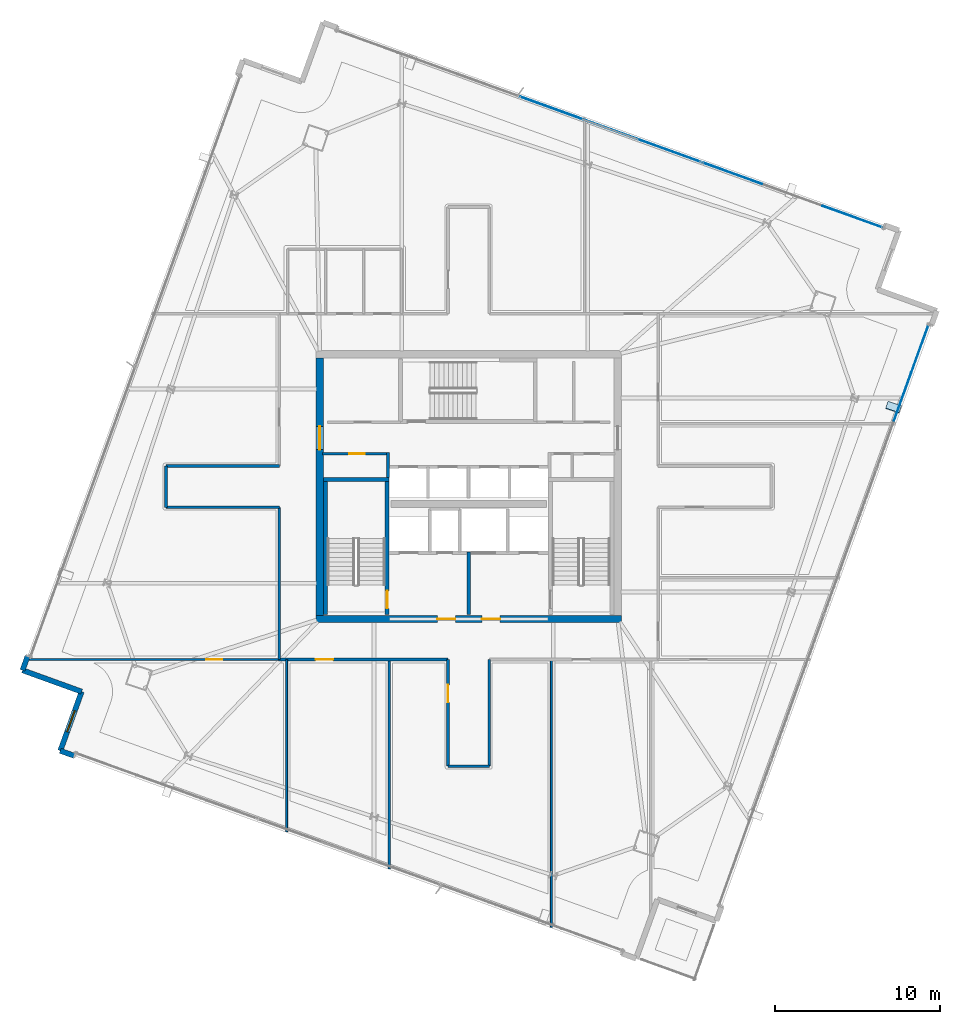
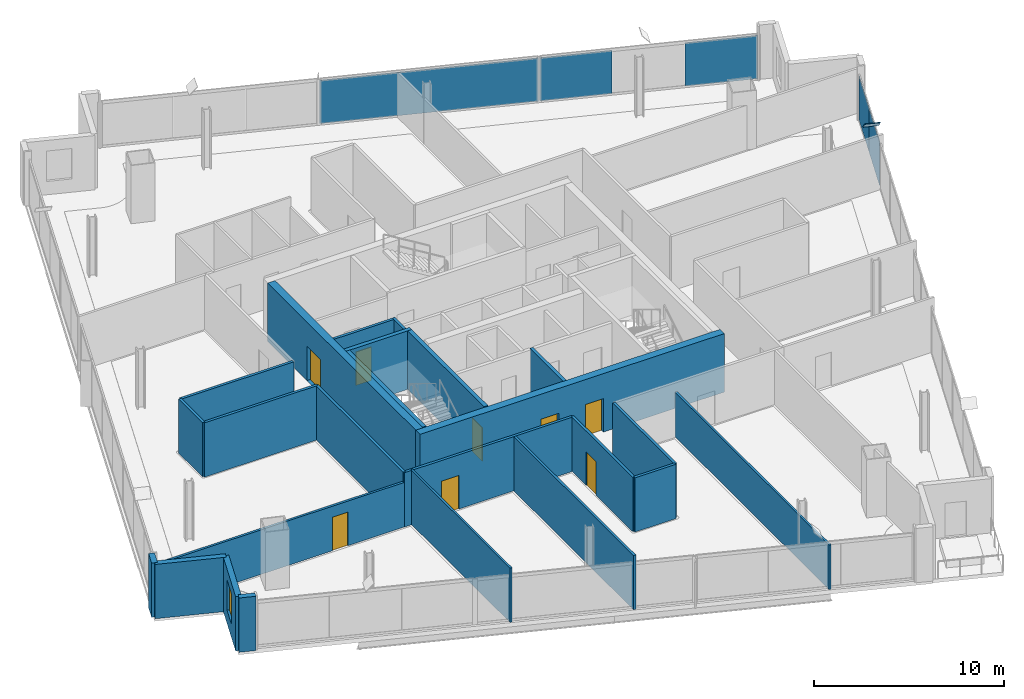
# One storey, part 19 of 27: 24 walls, 8 doors, 6 plates, 1 window, 9 openings, 2 elements without a shape of their own.
"""IFC4 building model written with IfcOpenShell, lengths in metres."""

import ifcopenshell
import ifcopenshell.guid

model = None  # the IFC model being written
_history = None  # IfcOwnerHistory: only IFC2X3 demands one
_inside = {}  # id of a spatial element -> (the spatial element, [elements in it])
_under = {}  # id of a project, library or spatial element -> (it, [spatial elements below it])
_declared = {}  # id of a project -> (the project, [libraries it declares])
_typed = {}  # id of a type object -> (the type object, [elements of that type])
_made_of = {}  # id of a material, layer set ... -> (it, [elements and type objects made of it])


def new_model(schema):
    """Start an empty IFC model of exactly this schema.

    Asked for "IFC4X3", IfcOpenShell would pick the latest addendum, in which some entities
    have other attributes; the version numbers below select the first issue.
    IFC2X3 requires an IfcOwnerHistory on every rooted entity: one is made here for all.
    """
    global model, _history
    if schema == "IFC4X3":
        model = ifcopenshell.file(schema_version=(4, 3, 0, 0))
    else:
        model = ifcopenshell.file(schema=schema)
    _inside.clear()
    _under.clear()
    _declared.clear()
    _typed.clear()
    _made_of.clear()
    _history = None
    if model.schema == "IFC2X3":
        org = make("IfcOrganization", Name="unknown")
        user = make(
            "IfcPersonAndOrganization",
            ThePerson=make("IfcPerson", FamilyName="unknown"),
            TheOrganization=org,
        )
        app = make(
            "IfcApplication",
            ApplicationDeveloper=org,
            Version="unknown",
            ApplicationFullName="unknown",
            ApplicationIdentifier="unknown",
        )
        _history = make(
            "IfcOwnerHistory",
            OwningUser=user,
            OwningApplication=app,
            ChangeAction="ADDED",
            CreationDate=0,
        )
    return model


def make(cls, **values):
    """One entity of the class cls with the attributes given. An attribute that is None is left unset."""
    return model.create_entity(
        cls, **{name: value for name, value in values.items() if value is not None}
    )


def rooted(cls, **values):
    """An entity with a GlobalId (a new one), such as an element, a storey or a relation."""
    return make(cls, GlobalId=ifcopenshell.guid.new(), OwnerHistory=_history, **values)


def si_unit(unit_type, name, prefix=None):
    """IfcSIUnit, for example si_unit("LENGTHUNIT", "METRE", prefix="MILLI")."""
    return make("IfcSIUnit", UnitType=unit_type, Prefix=prefix, Name=name)


def assignment(units):
    """IfcUnitAssignment: the units of a project."""
    return None if units is None else make("IfcUnitAssignment", Units=units)


def point(xyz):
    """IfcCartesianPoint."""
    return None if xyz is None else make("IfcCartesianPoint", Coordinates=xyz)


def direction(xyz):
    """IfcDirection."""
    return None if xyz is None else make("IfcDirection", DirectionRatios=xyz)


def frame(location, z_axis=None, x_axis=None):
    """IfcAxis2Placement3D, a coordinate frame: its origin and axes. An axis left out is left unset."""
    return make(
        "IfcAxis2Placement3D",
        Location=point(location),
        Axis=direction(z_axis),
        RefDirection=direction(x_axis),
    )


def frame_2d(location, x_axis=None):
    """IfcAxis2Placement2D, a coordinate frame in the plane: its origin and x axis."""
    return make(
        "IfcAxis2Placement2D", Location=point(location), RefDirection=direction(x_axis)
    )


def origin():
    """The frame at (0, 0, 0) with its axes left unset."""
    return frame((0.0, 0.0, 0.0))


def origin_2d():
    """The frame at (0, 0) in the plane with its x axis left unset."""
    return frame_2d((0.0, 0.0))


def place(relative_to, where):
    """IfcLocalPlacement: puts the frame where relative to a parent placement (None: the world)."""
    return make(
        "IfcLocalPlacement", PlacementRelTo=relative_to, RelativePlacement=where
    )


def context(
    kind, dimensions, precision=None, world=None, true_north=None, identifier=None
):
    """IfcGeometricRepresentationContext, for example the 3D "Model" context."""
    return make(
        "IfcGeometricRepresentationContext",
        ContextIdentifier=identifier,
        ContextType=kind,
        CoordinateSpaceDimension=dimensions,
        Precision=precision,
        WorldCoordinateSystem=world,
        TrueNorth=true_north,
    )


def subcontext(parent, identifier, kind, view, scale=None):
    """IfcGeometricRepresentationSubContext, for example "Body" below "Model"."""
    return make(
        "IfcGeometricRepresentationSubContext",
        ContextIdentifier=identifier,
        ContextType=kind,
        ParentContext=parent,
        TargetScale=scale,
        TargetView=view,
    )


def project(units=None, contexts=None):
    """IfcProject with its units and contexts."""
    return rooted(
        "IfcProject",
        Name="project",
        RepresentationContexts=contexts,
        UnitsInContext=assignment(units),
    )


def spatial(cls, under=None, at=None, **own):
    """A site, building, storey or space (cls), placed at a placement, below another one or the project."""
    s = rooted(cls, ObjectPlacement=at, **own)
    if under is not None:
        _under.setdefault(under.id(), (under, []))[1].append(s)
    return s


def profile(cls, at=None, kind="AREA", **sizes):
    """A parametric profile (cls). Its sizes go by their IFC names, for example OverallWidth=200.0."""
    return make(cls, ProfileType=kind, Position=at, **sizes)


def rectangle(**sizes):
    """IfcRectangleProfileDef."""
    return profile("IfcRectangleProfileDef", **sizes)


def extrude(swept, where, along, depth):
    """IfcExtrudedAreaSolid: the profile swept, set in the frame where, extruded along a direction by depth."""
    return make(
        "IfcExtrudedAreaSolid",
        SweptArea=swept,
        Position=where,
        ExtrudedDirection=direction(along),
        Depth=depth,
    )


def shape(context_of_items, identifier, shape_type, items):
    """IfcShapeRepresentation: the items that make up one representation, for example the "Body"."""
    return make(
        "IfcShapeRepresentation",
        ContextOfItems=context_of_items,
        RepresentationIdentifier=identifier,
        RepresentationType=shape_type,
        Items=items,
    )


def source(mapping_origin, context_of_items, identifier, shape_type, items):
    """IfcRepresentationMap: a shape defined once, which mapped items show again and again."""
    return make(
        "IfcRepresentationMap",
        MappingOrigin=mapping_origin,
        MappedRepresentation=shape(context_of_items, identifier, shape_type, items),
    )


def transform(
    local_origin,
    x_axis=None,
    y_axis=None,
    z_axis=None,
    scale=None,
    scale2=None,
    scale3=None,
    uniform=True,
):
    """IfcCartesianTransformationOperator3D, or its non-uniform kind. x_axis, y_axis, z_axis: its Axis1, 2, 3."""
    if uniform:
        return make(
            "IfcCartesianTransformationOperator3D",
            Axis1=direction(x_axis),
            Axis2=direction(y_axis),
            LocalOrigin=point(local_origin),
            Scale=scale,
            Axis3=direction(z_axis),
        )
    return make(
        "IfcCartesianTransformationOperator3DnonUniform",
        Axis1=direction(x_axis),
        Axis2=direction(y_axis),
        LocalOrigin=point(local_origin),
        Scale=scale,
        Axis3=direction(z_axis),
        Scale2=scale2,
        Scale3=scale3,
    )


def mapped(mapping_source, mapping_target):
    """IfcMappedItem: shows the shape of a source again, moved by a transform."""
    return make(
        "IfcMappedItem", MappingSource=mapping_source, MappingTarget=mapping_target
    )


def material(Name=None, Category=None):
    """IfcMaterial."""
    return make("IfcMaterial", Name=Name, Category=Category)


def layer(
    of_material, thickness, ventilated=None, Name=None, Category=None, Priority=None
):
    """IfcMaterialLayer: one layer of a wall or slab, of a material (None: an air gap)."""
    return make(
        "IfcMaterialLayer",
        Material=of_material,
        LayerThickness=thickness,
        IsVentilated=ventilated,
        Name=Name,
        Category=Category,
        Priority=Priority,
    )


def layer_set(layers, Name=None):
    """IfcMaterialLayerSet."""
    return make("IfcMaterialLayerSet", MaterialLayers=layers, LayerSetName=Name)


def made_of(thing, what):
    """Note that an element or type object is made of a material, layer set ...; save() writes the relation."""
    if what is not None:
        _made_of.setdefault(what.id(), (what, []))[1].append(thing)
    return thing


def type_object(cls, material=None, **own):
    """A type object (cls), such as IfcWallType, which elements share."""
    return made_of(rooted(cls, **own), material)


def element(
    cls,
    number,
    at=None,
    inside=None,
    cuts=None,
    type_object=None,
    material=None,
    context=None,
    identifier="Body",
    shape_type=None,
    held_by="IfcProductDefinitionShape",
    body=None,
    shapes=None,
    **own,
):
    """One element of the class cls, such as IfcWall. Its Tag is "e" and its number.

    at: its placement. inside: the storey or other place that contains it. cuts: it is an
    opening in that element (IfcRelVoidsElement). A single representation is given by context,
    identifier, shape_type and body (its items); several are given by shapes. held_by: the class
    of the entity that holds the representations. save() writes the other relations.
    """
    e = rooted(cls, Tag="e%d" % number, ObjectPlacement=at, **own)
    if body is not None:
        shapes = [shape(context, identifier, shape_type, body)]
    if shapes is not None:
        e.Representation = make(held_by, Representations=shapes)
    if inside is not None:
        _inside.setdefault(inside.id(), (inside, []))[1].append(e)
    if cuts is not None:
        rooted(
            "IfcRelVoidsElement", RelatingBuildingElement=cuts, RelatedOpeningElement=e
        )
    if type_object is not None:
        _typed.setdefault(type_object.id(), (type_object, []))[1].append(e)
    return made_of(e, material)


def fill(opening, filler):
    """IfcRelFillsElement: the door or window that sits in an opening."""
    return rooted(
        "IfcRelFillsElement",
        RelatingOpeningElement=opening,
        RelatedBuildingElement=filler,
    )


def aggregate(whole, parts):
    """IfcRelAggregates: a whole, such as a stair, and the parts it consists of."""
    return rooted("IfcRelAggregates", RelatingObject=whole, RelatedObjects=parts)


def save(model, path):
    """Write the relations noted so far, then the file.

    IfcRelAggregates (storeys below a building ...), IfcRelContainedInSpatialStructure (elements
    in a storey), IfcRelDefinesByType, IfcRelAssociatesMaterial and IfcRelDeclares: one each for
    every whole, place, type object, material and project.
    """
    for whole, parts in _under.values():
        aggregate(whole, parts)
    for where, things in _inside.values():
        rooted(
            "IfcRelContainedInSpatialStructure",
            RelatedElements=things,
            RelatingStructure=where,
        )
    for kind, things in _typed.values():
        rooted("IfcRelDefinesByType", RelatedObjects=things, RelatingType=kind)
    for what, things in _made_of.values():
        rooted("IfcRelAssociatesMaterial", RelatedObjects=things, RelatingMaterial=what)
    for by, libraries in _declared.values():
        rooted("IfcRelDeclares", RelatingContext=by, RelatedDefinitions=libraries)
    model.write(path)


model = new_model("IFC4")

# Units and contexts
model_context = context("Model", 3, precision=1e-05, world=origin(), true_north=direction((0.0, 1.0)))
body_context = subcontext(model_context, "Body", "Model", "MODEL_VIEW")
ifc_project = project(units=[si_unit("LENGTHUNIT", "METRE"), si_unit("AREAUNIT", "SQUARE_METRE"), si_unit("VOLUMEUNIT", "CUBIC_METRE"), si_unit("PLANEANGLEUNIT", "RADIAN"), si_unit("MASSUNIT", "GRAM", prefix="KILO")], contexts=[model_context])

# Site, building, storey
site_placement = place(None, origin())
site = spatial("IfcSite", under=ifc_project, at=site_placement, CompositionType="ELEMENT")
building_placement = place(site_placement, origin())
building = spatial("IfcBuilding", under=site, at=building_placement, Name="Haldenkirk Collegiate Tower", CompositionType="ELEMENT")
storey_placement = place(building_placement, frame((0.0, 0.0, 263.699951171875)))
storey = spatial("IfcBuildingStorey", under=building, at=storey_placement, Name="L66", CompositionType="ELEMENT", Elevation=263.699951171875)

# Plate
ifc_material_1 = material(Name="Steel ASTM A572 Grade 50", Category="steel")
ifc_layer_1 = layer(ifc_material_1, 0.034912109375)
ifc_layer_set_1 = layer_set([ifc_layer_1], Name="Steel ASTM A572 Grade 50")
plate_type_1 = type_object("IfcPlateType", Name="PLT-CAP-EXT-760X600", PredefinedType="USERDEFINED", material=ifc_layer_set_1)
shared_shape_1 = source(origin(), body_context, "Body", "SweptSolid", [
    extrude(rectangle(XDim=0.860107421875, YDim=0.659912109375, at=origin_2d()), origin(), (0.0, 0.0, 1.0), 0.034912109375),
])
plate_1_placement = place(storey_placement, frame((61.670654296875, 30.78955078125, 3.468017578125), z_axis=(0.235727941958, 0.70646482605, 0.667337835684), x_axis=(-0.948586775268, 0.316517187189, 2.22845e-07)))
element("IfcPlate", 1, at=plate_1_placement, inside=storey, type_object=plate_type_1, Name="Perimeter Mega Brace Z5 L64-L66 SR end cap plate 2", ObjectType="END CAP PLATE", PredefinedType="USERDEFINED", context=body_context, shape_type="MappedRepresentation", body=[
    mapped(shared_shape_1, transform((0.0, 0.0, 0.0), x_axis=(1.0, 0.0, 0.0), y_axis=(0.0, 1.0, 0.0), z_axis=(0.0, 0.0, 1.0), scale=1.0)),
])

# Curtain wall, plates
ifc_material_2 = material(Name="Anodised architectural bronze aluminium", Category="aluminium")
curtain_wall_type_1 = type_object("IfcCurtainWallType", Name="CW-SYS2-CONCAVE", PredefinedType="USERDEFINED", material=ifc_material_2)
curtain_wall_1_placement = place(storey_placement, origin())
curtain_wall_1 = element("IfcCurtainWall", 2, at=curtain_wall_1_placement, inside=storey, type_object=curtain_wall_type_1, Name="L66 South concave recessed bronze-anodised curtain wall", ObjectType="UNITISED CURTAIN WALL", PredefinedType="USERDEFINED")
ifc_material_3 = material(Name="Low-E argon triple insulating glass", Category="glass")
ifc_layer_2 = layer(ifc_material_3, 0.0419921875)
ifc_layer_set_2 = layer_set([ifc_layer_2], Name="Low-E argon triple insulating glass")
plate_type_2 = type_object("IfcPlateType", Name="CW-PNL-02", PredefinedType="CURTAIN_PANEL", material=ifc_layer_set_2)
shared_shape_2 = source(origin(), body_context, "Body", "SweptSolid", [
    extrude(rectangle(XDim=3.066650390625, YDim=0.0419921875, at=origin_2d()), origin(), (0.0, 0.0, 1.0), 2.7880859375),
])
plate_2_placement = place(storey_placement, frame((63.267822265625, 34.327392578125, 0.074951171875), z_axis=(0.0, 0.0, 1.0), x_axis=(-0.339558587006, -0.940584906317, 0.0)))
plate_2 = element("IfcPlate", 3, at=plate_2_placement, type_object=plate_type_2, Name="CW-02 panel 1.1a", PredefinedType="CURTAIN_PANEL", context=body_context, shape_type="MappedRepresentation", body=[
    mapped(shared_shape_2, transform((0.0, 0.0, 0.0), x_axis=(1.0, 0.0, 0.0), y_axis=(0.0, 1.0, 0.0), z_axis=(0.0, 0.0, 1.0), scale=1.0)),
])
ifc_material_4 = material(Name="Bronze-anodised insulated aluminium spandrel panel", Category="aluminium")
ifc_layer_3 = layer(ifc_material_4, 0.0419921875)
ifc_layer_set_3 = layer_set([ifc_layer_3], Name="Bronze-anodised insulated aluminium spandrel panel")
plate_type_3 = type_object("IfcPlateType", Name="CW-SPD-02", PredefinedType="CURTAIN_PANEL", material=ifc_layer_set_3)
shared_shape_3 = source(origin(), body_context, "Body", "SweptSolid", [
    extrude(rectangle(XDim=3.05419921875, YDim=0.0419921875, at=origin_2d()), origin(), (0.0, 0.0, 1.0), 2.7880859375),
])
plate_3_placement = place(storey_placement, frame((62.22021484375, 31.42529296875, 0.074951171875), z_axis=(0.0, 0.0, 1.0), x_axis=(-0.339558587006, -0.940584906317, 0.0)))
plate_3 = element("IfcPlate", 4, at=plate_3_placement, type_object=plate_type_3, Name="CW-02 spandrel panel 1.1b", PredefinedType="CURTAIN_PANEL", context=body_context, shape_type="MappedRepresentation", body=[
    mapped(shared_shape_3, transform((0.0, 0.0, 0.0), x_axis=(1.0, 0.0, 0.0), y_axis=(0.0, 1.0, 0.0), z_axis=(0.0, 0.0, 1.0), scale=1.0)),
])
aggregate(curtain_wall_1, [plate_2, plate_3])

curtain_wall_type_2 = type_object("IfcCurtainWallType", Name="CW-SYS1B-CONVEX-HI", PredefinedType="USERDEFINED", material=ifc_material_2)
curtain_wall_2_placement = place(storey_placement, origin())
curtain_wall_2 = element("IfcCurtainWall", 5, at=curtain_wall_2_placement, inside=storey, type_object=curtain_wall_type_2, Name="L66 Upper tower high-wind convex bronze unitised curtain wall", ObjectType="UNITISED CURTAIN WALL", PredefinedType="USERDEFINED")
ifc_layer_4 = layer(ifc_material_4, 0.048095703125)
ifc_layer_set_4 = layer_set([ifc_layer_4], Name="Bronze-anodised insulated aluminium spandrel panel")
plate_type_4 = type_object("IfcPlateType", Name="CW-SPD-1B", PredefinedType="CURTAIN_PANEL", material=ifc_layer_set_4)
shared_shape_4 = source(origin(), body_context, "Body", "SweptSolid", [
    extrude(rectangle(XDim=3.856201171875, YDim=0.048095703125, at=origin_2d()), origin(), (0.0, 0.0, 1.0), 2.76806640625),
])
plate_4_placement = place(storey_placement, frame((51.91455078125, 44.94140625, 0.0849609375), z_axis=(0.0, 0.0, 1.0), x_axis=(0.940585508255, -0.339556919618, 0.0)))
plate_4 = element("IfcPlate", 6, at=plate_4_placement, type_object=plate_type_4, Name="CW-1B spandrel panel 3.1a", PredefinedType="CURTAIN_PANEL", context=body_context, shape_type="MappedRepresentation", body=[
    mapped(shared_shape_4, transform((0.0, 0.0, 0.0), x_axis=(1.0, 0.0, 0.0), y_axis=(0.0, 1.0, 0.0), z_axis=(0.0, 0.0, 1.0), scale=1.0)),
])
ifc_layer_5 = layer(ifc_material_3, 0.048095703125)
ifc_layer_set_5 = layer_set([ifc_layer_5], Name="Low-E argon triple insulating glass")
plate_type_5 = type_object("IfcPlateType", Name="CW-PNL-1B", PredefinedType="CURTAIN_PANEL", material=ifc_layer_set_5)
plate_5_placement = place(storey_placement, frame((59.203857421875, 42.31005859375, 0.0849609375), z_axis=(0.0, 0.0, 1.0), x_axis=(0.940585508255, -0.339556919618, 0.0)))
plate_5 = element("IfcPlate", 7, at=plate_5_placement, type_object=plate_type_5, Name="CW-1B panel 3.1c", PredefinedType="CURTAIN_PANEL", context=body_context, shape_type="MappedRepresentation", body=[
    mapped(shared_shape_4, transform((0.0, 0.0, 0.0), x_axis=(1.0, 0.0, 0.0), y_axis=(0.0, 1.0, 0.0), z_axis=(0.0, 0.0, 1.0), scale=1.0)),
])
shared_shape_5 = source(origin(), body_context, "Body", "SweptSolid", [
    extrude(rectangle(XDim=11.6484375, YDim=0.048095703125, at=origin_2d()), origin(), (0.0, 0.0, 1.0), 2.76806640625),
])
plate_6_placement = place(storey_placement, frame((44.54296875, 47.602783203125, 0.0849609375), z_axis=(0.0, 0.0, 1.0), x_axis=(0.940585508255, -0.339556919618, 0.0)))
plate_6 = element("IfcPlate", 8, at=plate_6_placement, type_object=plate_type_5, Name="CW-1B panel 2.1", PredefinedType="CURTAIN_PANEL", context=body_context, shape_type="MappedRepresentation", body=[
    mapped(shared_shape_5, transform((0.0, 0.0, 0.0), x_axis=(1.0, 0.0, 0.0), y_axis=(0.0, 1.0, 0.0), z_axis=(0.0, 0.0, 1.0), scale=1.0)),
])
aggregate(curtain_wall_2, [plate_6, plate_4, plate_5])

# Wall, openings, doors
ifc_material_5 = material(Name="Concrete f'c 55 MPa", Category="concrete")
ifc_layer_6 = layer(ifc_material_5, 0.449951171875)
ifc_layer_set_6 = layer_set([ifc_layer_6], Name="Concrete f'c 55 MPa")
wall_type_1 = type_object("IfcWallType", Name="WL-CORE-450", PredefinedType="SHEAR", material=ifc_layer_set_6)
wall_1_placement = place(storey_placement, frame((26.77490234375, 18.0, 0.0), z_axis=(0.0, 0.0, 1.0), x_axis=(1.0, 0.0, 0.0)))
wall_1 = element("IfcWall", 9, at=wall_1_placement, inside=storey, type_object=wall_type_1, Name="L66 central core shear wall S", PredefinedType="SHEAR", context=body_context, shape_type="SweptSolid", body=[
    extrude(rectangle(XDim=18.4501953125, YDim=0.449951171875, at=frame_2d((9.22509765625, 0.0))), origin(), (0.0, 0.0, 1.0), 3.75),
])
opening_1_placement = place(wall_1_placement, frame((7.324951171875, 0.0, 0.0)))
opening_1 = element("IfcOpeningElement", 10, at=opening_1_placement, cuts=wall_1, Name="Opening D-02", PredefinedType="OPENING", context=body_context, shape_type="SweptSolid", body=[
    extrude(rectangle(XDim=1.10009765625, YDim=2.14990234375, at=frame_2d((0.550048828125, 1.074951171875))), frame((0.0, 0.23486328125, 0.0), z_axis=(0.0, -1.0, 0.0), x_axis=(1.0, 0.0, 0.0)), (0.0, 0.0, 1.0), 0.469970703125),
])
opening_2_placement = place(wall_1_placement, frame((10.02490234375, 0.0, 0.0)))
opening_2 = element("IfcOpeningElement", 11, at=opening_2_placement, cuts=wall_1, Name="Opening D-02", PredefinedType="OPENING", context=body_context, shape_type="SweptSolid", body=[
    extrude(rectangle(XDim=1.10009765625, YDim=2.14990234375, at=frame_2d((0.550048828125, 1.074951171875))), frame((0.0, 0.23486328125, 0.0), z_axis=(0.0, -1.0, 0.0), x_axis=(1.0, 0.0, 0.0)), (0.0, 0.0, 1.0), 0.469970703125),
])
ifc_material_6 = material(Name="Galvanized fire-rated hollow steel door", Category="steel")
ifc_layer_7 = layer(ifc_material_6, 0.06005859375)
ifc_layer_set_7 = layer_set([ifc_layer_7], Name="Galvanized fire-rated hollow steel door")
door_type_1 = type_object("IfcDoorType", Name="DR-STAIR-FD90-1100", OperationType="NOTDEFINED", PredefinedType="DOOR", material=ifc_layer_set_7)
door_1_placement = place(opening_1_placement, origin())
door_1 = element("IfcDoor", 12, at=door_1_placement, inside=storey, type_object=door_type_1, Name="L66 Firefighting Lobby 1 door", OperationType="SINGLE_SWING_LEFT", OverallHeight=2.14990234375, OverallWidth=1.10009765625, PredefinedType="DOOR", context=body_context, shape_type="SweptSolid", body=[
    extrude(rectangle(XDim=1.10009765625, YDim=2.14990234375, at=frame_2d((0.550048828125, 1.074951171875))), frame((0.0, 0.02490234375, 0.0), z_axis=(0.0, -1.0, 0.0), x_axis=(1.0, 0.0, 0.0)), (0.0, 0.0, 1.0), 0.050048828125),
])
fill(opening_1, door_1)
door_2_placement = place(opening_2_placement, origin())
door_2 = element("IfcDoor", 13, at=door_2_placement, inside=storey, type_object=door_type_1, Name="L66 Firefighting Lobby 2 door", OperationType="SINGLE_SWING_RIGHT", OverallHeight=2.14990234375, OverallWidth=1.10009765625, PredefinedType="DOOR", context=body_context, shape_type="SweptSolid", body=[
    extrude(rectangle(XDim=1.10009765625, YDim=2.14990234375, at=frame_2d((0.550048828125, 1.074951171875))), frame((0.0, 0.02490234375, 0.0), z_axis=(0.0, -1.0, 0.0), x_axis=(1.0, 0.0, 0.0)), (0.0, 0.0, 1.0), 0.050048828125),
])
fill(opening_2, door_2)

# Wall, opening, door
wall_2_placement = place(storey_placement, frame((27.0, 18.22509765625, 0.0), z_axis=(0.0, 0.0, 1.0), x_axis=(0.0, 1.0, 0.0)))
wall_2 = element("IfcWall", 14, at=wall_2_placement, inside=storey, type_object=wall_type_1, Name="L66 central core shear wall W", PredefinedType="SHEAR", context=body_context, shape_type="SweptSolid", body=[
    extrude(rectangle(XDim=15.5498046875, YDim=0.449951171875, at=frame_2d((7.77490234375, 0.0))), origin(), (0.0, 0.0, 1.0), 3.75),
])
opening_3_placement = place(wall_2_placement, frame((10.014892578125, 0.0, 0.0)))
opening_3 = element("IfcOpeningElement", 15, at=opening_3_placement, cuts=wall_2, Name="Opening D-03", PredefinedType="OPENING", context=body_context, shape_type="SweptSolid", body=[
    extrude(rectangle(XDim=1.39990234375, YDim=2.199951171875, at=frame_2d((0.699951171875, 1.10009765625))), frame((0.0, 0.23486328125, 0.0), z_axis=(0.0, -1.0, 0.0), x_axis=(1.0, 0.0, 0.0)), (0.0, 0.0, 1.0), 0.469970703125),
])
ifc_layer_8 = layer(ifc_material_6, 0.06005859375)
ifc_layer_set_8 = layer_set([ifc_layer_8], Name="Galvanized fire-rated hollow steel door")
door_type_2 = type_object("IfcDoorType", Name="DR-LOBBY-FD90-1400", OperationType="NOTDEFINED", PredefinedType="DOOR", material=ifc_layer_set_8)
door_3_placement = place(opening_3_placement, origin())
door_3 = element("IfcDoor", 16, at=door_3_placement, inside=storey, type_object=door_type_2, Name="L66 west lift lobby portal", OperationType="DOUBLE_DOOR_SINGLE_SWING", OverallHeight=2.199951171875, OverallWidth=1.39990234375, PredefinedType="DOOR", context=body_context, shape_type="SweptSolid", body=[
    extrude(rectangle(XDim=1.39990234375, YDim=2.199951171875, at=frame_2d((0.699951171875, 1.10009765625))), frame((0.0, 0.02490234375, 0.0), z_axis=(0.0, -1.0, 0.0), x_axis=(1.0, 0.0, 0.0)), (0.0, 0.0, 1.0), 0.050048828125),
])
fill(opening_3, door_3)

# Walls
ifc_material_7 = material(Name="Precast concrete f'c 40 MPa", Category="concrete")
ifc_layer_9 = layer(ifc_material_7, 0.320068359375)
ifc_layer_set_9 = layer_set([ifc_layer_9], Name="Precast concrete f'c 40 MPa")
wall_type_2 = type_object("IfcWallType", Name="WL-EXT-TWR-320", PredefinedType="STANDARD", material=ifc_layer_set_9)
wall_3_placement = place(storey_placement, frame((9.028076171875, 14.89892578125, 0.0), z_axis=(0.0, 0.0, 1.0), x_axis=(0.33932450745, 0.940669377967, 0.0)))
element("IfcWall", 17, at=wall_3_placement, inside=storey, type_object=wall_type_2, Name="L66 precast corner pier NL", PredefinedType="STANDARD", context=body_context, shape_type="SweptSolid", body=[
    extrude(rectangle(XDim=0.900146484375, YDim=0.320068359375, at=frame_2d((0.4501953125, 0.0))), origin(), (0.0, 0.0, 1.0), 3.47998046875),
])
wall_4_placement = place(storey_placement, frame((12.602294921875, 13.608642578125, 0.0), z_axis=(0.0, 0.0, 1.0), x_axis=(-0.940588101953, 0.339549734892, 0.0)))
element("IfcWall", 18, at=wall_4_placement, inside=storey, type_object=wall_type_2, Name="L66 bronze precast notch wall 08", PredefinedType="STANDARD", context=body_context, shape_type="SweptSolid", body=[
    extrude(rectangle(XDim=3.800048828125, YDim=0.320068359375, at=frame_2d((1.89990234375, 0.0))), origin(), (0.0, 0.0, 1.0), 3.47998046875),
])

# Wall, opening, window
wall_5_placement = place(storey_placement, frame((11.31201171875, 10.034423828125, 0.0), z_axis=(0.0, 0.0, 1.0), x_axis=(0.339549734892, 0.940588101953, 0.0)))
wall_5 = element("IfcWall", 19, at=wall_5_placement, inside=storey, type_object=wall_type_2, Name="L66 bronze precast notch wall 09", PredefinedType="STANDARD", context=body_context, shape_type="SweptSolid", body=[
    extrude(rectangle(XDim=3.800048828125, YDim=0.320068359375, at=frame_2d((1.89990234375, 0.0))), origin(), (0.0, 0.0, 1.0), 3.47998046875),
])
opening_4_placement = place(wall_5_placement, frame((1.22509765625, 0.0, 0.85009765625)))
opening_4 = element("IfcOpeningElement", 20, at=opening_4_placement, cuts=wall_5, Name="Opening W-07", PredefinedType="OPENING", context=body_context, shape_type="SweptSolid", body=[
    extrude(rectangle(XDim=1.35009765625, YDim=1.949951171875, at=frame_2d((0.675048828125, 0.97509765625))), frame((0.0, 0.169921875, 0.0), z_axis=(0.0, -1.0, 0.0), x_axis=(1.0, 0.0, 0.0)), (0.0, 0.0, 1.0), 0.340087890625),
])
ifc_layer_10 = layer(ifc_material_3, 0.090087890625)
ifc_layer_set_10 = layer_set([ifc_layer_10], Name="Low-E argon triple insulating glass")
window_type = type_object("IfcWindowType", Name="WN-Z5-1350X1950", PartitioningType="SINGLE_PANEL", PredefinedType="WINDOW", material=ifc_layer_set_10)
window_placement = place(opening_4_placement, origin())
window = element("IfcWindow", 21, at=window_placement, inside=storey, type_object=window_type, Name="L66 precast-frame academic window 8", OverallHeight=1.949951171875, OverallWidth=1.35009765625, PartitioningType="SINGLE_PANEL", PredefinedType="WINDOW", context=body_context, shape_type="SweptSolid", body=[
    extrude(rectangle(XDim=1.35009765625, YDim=1.949951171875, at=frame_2d((0.675048828125, 0.97509765625))), frame((0.0, 0.030029296875, 0.0), z_axis=(0.0, -1.0, 0.0), x_axis=(1.0, 0.0, 0.0)), (0.0, 0.0, 1.0), 0.06005859375),
])
fill(opening_4, window)

# Wall
wall_6_placement = place(storey_placement, frame((12.158447265625, 9.72900390625, 0.0), z_axis=(0.0, 0.0, 1.0), x_axis=(-0.940638134831, 0.339411106626, 0.0)))
element("IfcWall", 22, at=wall_6_placement, inside=storey, type_object=wall_type_2, Name="L66 precast corner pier WR", PredefinedType="STANDARD", context=body_context, shape_type="SweptSolid", body=[
    extrude(rectangle(XDim=0.89990234375, YDim=0.320068359375, at=frame_2d((0.449951171875, 0.0))), origin(), (0.0, 0.0, 1.0), 3.47998046875),
])

# Wall, opening, door
ifc_material_8 = material(Name="Acoustic fire-rated gypsum partition", Category="concrete")
ifc_layer_11 = layer(ifc_material_8, 0.159912109375)
ifc_layer_set_11 = layer_set([ifc_layer_11], Name="Acoustic fire-rated gypsum partition")
wall_type_3 = type_object("IfcWallType", Name="WL-INT-CORR-160", PredefinedType="PARTITIONING", material=ifc_layer_set_11)
wall_7_placement = place(storey_placement, frame((27.14990234375, 27.97998046875, 0.0), z_axis=(0.0, 0.0, 1.0), x_axis=(1.0, 0.0, 0.0)))
wall_7 = element("IfcWall", 23, at=wall_7_placement, inside=storey, type_object=wall_type_3, Name="L66 interior partition IW-L66-VCSW-N", PredefinedType="PARTITIONING", context=body_context, shape_type="SweptSolid", body=[
    extrude(rectangle(XDim=4.050048828125, YDim=0.159912109375, at=frame_2d((2.02490234375, 0.0))), origin(), (0.0, 0.0, 1.0), 3.47998046875),
])
opening_5_placement = place(wall_7_placement, frame((1.625, 0.0, 0.0)))
opening_5 = element("IfcOpeningElement", 24, at=opening_5_placement, cuts=wall_7, Name="Opening D-10", PredefinedType="OPENING", context=body_context, shape_type="SweptSolid", body=[
    extrude(rectangle(XDim=0.949951171875, YDim=2.14990234375, at=frame_2d((0.47509765625, 1.074951171875))), frame((0.0, 0.08984375, 0.0), z_axis=(0.0, -1.0, 0.0), x_axis=(1.0, 0.0, 0.0)), (0.0, 0.0, 1.0), 0.179931640625),
])
ifc_material_9 = material(Name="Solid-core architectural oak fire door", Category="wood")
ifc_layer_12 = layer(ifc_material_9, 0.06005859375)
ifc_layer_set_12 = layer_set([ifc_layer_12], Name="Solid-core architectural oak fire door")
door_type_3 = type_object("IfcDoorType", Name="DR-INT-FD60-950", OperationType="NOTDEFINED", PredefinedType="DOOR", material=ifc_layer_set_12)
door_4_placement = place(opening_5_placement, origin())
door_4 = element("IfcDoor", 25, at=door_4_placement, inside=storey, type_object=door_type_3, Name="L66 core tea pantry door", OperationType="SINGLE_SWING_RIGHT", OverallHeight=2.14990234375, OverallWidth=0.949951171875, PredefinedType="DOOR", context=body_context, shape_type="SweptSolid", body=[
    extrude(rectangle(XDim=0.949951171875, YDim=2.14990234375, at=frame_2d((0.47509765625, 1.074951171875))), frame((0.0, 0.02490234375, 0.0), z_axis=(0.0, -1.0, 0.0), x_axis=(1.0, 0.0, 0.0)), (0.0, 0.0, 1.0), 0.050048828125),
])
fill(opening_5, door_4)

# Wall
wall_8_placement = place(storey_placement, frame((31.1201171875, 26.5400390625, 0.0), z_axis=(0.0, 0.0, 1.0), x_axis=(0.0, 1.0, 0.0)))
element("IfcWall", 26, at=wall_8_placement, inside=storey, type_object=wall_type_3, Name="L66 interior partition IW-L66-VCSW-E", PredefinedType="PARTITIONING", context=body_context, shape_type="SweptSolid", body=[
    extrude(rectangle(XDim=1.510009765625, YDim=0.159912109375, at=frame_2d((0.7548828125, 0.0))), origin(), (0.0, 0.0, 1.0), 3.47998046875),
])

# Wall, opening, door
wall_9_placement = place(storey_placement, frame((24.5, 15.550048828125, 0.0), z_axis=(0.0, 0.0, 1.0), x_axis=(1.0, 0.0, 0.0)))
wall_9 = element("IfcWall", 27, at=wall_9_placement, inside=storey, type_object=wall_type_3, Name="L66 interior partition IW-L66-CS1", PredefinedType="PARTITIONING", context=body_context, shape_type="SweptSolid", body=[
    extrude(rectangle(XDim=10.25, YDim=0.159912109375, at=frame_2d((5.125, 0.0))), origin(), (0.0, 0.0, 1.0), 3.47998046875),
])
opening_6_placement = place(wall_9_placement, frame((2.2509765625, 0.0, 0.0)))
opening_6 = element("IfcOpeningElement", 28, at=opening_6_placement, cuts=wall_9, Name="Opening D-09", PredefinedType="OPENING", context=body_context, shape_type="SweptSolid", body=[
    extrude(rectangle(XDim=1.050048828125, YDim=2.14990234375, at=frame_2d((0.52490234375, 1.074951171875))), frame((0.0, 0.08984375, 0.0), z_axis=(0.0, -1.0, 0.0), x_axis=(1.0, 0.0, 0.0)), (0.0, 0.0, 1.0), 0.179931640625),
])
ifc_layer_13 = layer(ifc_material_9, 0.06005859375)
ifc_layer_set_13 = layer_set([ifc_layer_13], Name="Solid-core architectural oak fire door")
door_type_4 = type_object("IfcDoorType", Name="DR-INT-FD60-1050", OperationType="NOTDEFINED", PredefinedType="DOOR", material=ifc_layer_set_13)
door_5_placement = place(opening_6_placement, origin())
door_5 = element("IfcDoor", 29, at=door_5_placement, inside=storey, type_object=door_type_4, Name="L66 Computational Design Studio 2 door", OperationType="SINGLE_SWING_RIGHT", OverallHeight=2.14990234375, OverallWidth=1.050048828125, PredefinedType="DOOR", context=body_context, shape_type="SweptSolid", body=[
    extrude(rectangle(XDim=1.050048828125, YDim=2.14990234375, at=frame_2d((0.52490234375, 1.074951171875))), frame((0.0, 0.02490234375, 0.0), z_axis=(0.0, -1.0, 0.0), x_axis=(1.0, 0.0, 0.0)), (0.0, 0.0, 1.0), 0.050048828125),
])
fill(opening_6, door_5)

# Wall
wall_10_placement = place(storey_placement, frame((24.550048828125, 15.550048828125, 0.0), z_axis=(0.0, 0.0, 1.0), x_axis=(0.0, 1.0, 0.0)))
element("IfcWall", 30, at=wall_10_placement, inside=storey, type_object=wall_type_3, Name="L66 interior partition IW-L66-CW1", PredefinedType="PARTITIONING", context=body_context, shape_type="SweptSolid", body=[
    extrude(rectangle(XDim=9.199951171875, YDim=0.159912109375, at=frame_2d((4.60009765625, 0.0))), origin(), (0.0, 0.0, 1.0), 3.47998046875),
])

# Wall, opening, door
wall_11_placement = place(storey_placement, frame((34.75, 9.10009765625, 0.0), z_axis=(0.0, 0.0, 1.0), x_axis=(0.0, 1.0, 0.0)))
wall_11 = element("IfcWall", 31, at=wall_11_placement, inside=storey, type_object=wall_type_3, Name="L66 interior partition IW-L66-SPW", PredefinedType="PARTITIONING", context=body_context, shape_type="SweptSolid", body=[
    extrude(rectangle(XDim=6.449951171875, YDim=0.159912109375, at=frame_2d((3.22509765625, 0.0))), origin(), (0.0, 0.0, 1.0), 3.47998046875),
])
opening_7_placement = place(wall_11_placement, frame((3.861083984375, 0.0, 0.0)))
opening_7 = element("IfcOpeningElement", 32, at=opening_7_placement, cuts=wall_11, Name="Opening D-09", PredefinedType="OPENING", context=body_context, shape_type="SweptSolid", body=[
    extrude(rectangle(XDim=1.050048828125, YDim=2.14990234375, at=frame_2d((0.52490234375, 1.074951171875))), frame((0.0, 0.08984375, 0.0), z_axis=(0.0, -1.0, 0.0), x_axis=(1.0, 0.0, 0.0)), (0.0, 0.0, 1.0), 0.179931640625),
])
door_6_placement = place(opening_7_placement, origin())
door_6 = element("IfcDoor", 33, at=door_6_placement, inside=storey, type_object=door_type_4, Name="L66 Robotics Fabrication Lab 3 door", OperationType="SINGLE_SWING_LEFT", OverallHeight=2.14990234375, OverallWidth=1.050048828125, PredefinedType="DOOR", context=body_context, shape_type="SweptSolid", body=[
    extrude(rectangle(XDim=1.050048828125, YDim=2.14990234375, at=frame_2d((0.52490234375, 1.074951171875))), frame((0.0, 0.02490234375, 0.0), z_axis=(0.0, -1.0, 0.0), x_axis=(1.0, 0.0, 0.0)), (0.0, 0.0, 1.0), 0.050048828125),
])
fill(opening_7, door_6)

# Walls
wall_12_placement = place(storey_placement, frame((37.25, 9.10009765625, 0.0), z_axis=(0.0, 0.0, 1.0), x_axis=(0.0, 1.0, 0.0)))
element("IfcWall", 34, at=wall_12_placement, inside=storey, type_object=wall_type_3, Name="L66 interior partition IW-L66-SPE", PredefinedType="PARTITIONING", context=body_context, shape_type="SweptSolid", body=[
    extrude(rectangle(XDim=6.449951171875, YDim=0.159912109375, at=frame_2d((3.22509765625, 0.0))), origin(), (0.0, 0.0, 1.0), 3.47998046875),
])
wall_13_placement = place(storey_placement, frame((34.75, 9.10009765625, 0.0), z_axis=(0.0, 0.0, 1.0), x_axis=(1.0, 0.0, 0.0)))
element("IfcWall", 35, at=wall_13_placement, inside=storey, type_object=wall_type_3, Name="L66 interior partition IW-L66-SPS", PredefinedType="PARTITIONING", context=body_context, shape_type="SweptSolid", body=[
    extrude(rectangle(XDim=2.5, YDim=0.159912109375, at=frame_2d((1.25, 0.0))), origin(), (0.0, 0.0, 1.0), 3.47998046875),
])
for number, where, z_axis, x_axis, name in (
    (36, (17.699951171875, 24.75, 0.0), (0.0, 0.0, 1.0), (1.0, 0.0, 0.0), "L66 interior partition IW-L66-WPS"),
    (37, (17.699951171875, 27.25, 0.0), (0.0, 0.0, 1.0), (1.0, 0.0, 0.0), "L66 interior partition IW-L66-WPN"),
):
    element("IfcWall", number, at=place(storey_placement, frame(where, z_axis=z_axis, x_axis=x_axis)), inside=storey, type_object=wall_type_3, Name=name, PredefinedType="PARTITIONING", context=body_context, shape_type="SweptSolid", body=[
        extrude(rectangle(XDim=6.85009765625, YDim=0.159912109375, at=frame_2d((3.425048828125, 0.0))), origin(), (0.0, 0.0, 1.0), 3.47998046875),
    ])
wall_14_placement = place(storey_placement, frame((17.699951171875, 24.75, 0.0), z_axis=(0.0, 0.0, 1.0), x_axis=(0.0, 1.0, 0.0)))
element("IfcWall", 38, at=wall_14_placement, inside=storey, type_object=wall_type_3, Name="L66 interior partition IW-L66-WPW", PredefinedType="PARTITIONING", context=body_context, shape_type="SweptSolid", body=[
    extrude(rectangle(XDim=2.5, YDim=0.159912109375, at=frame_2d((1.25, 0.0))), origin(), (0.0, 0.0, 1.0), 3.47998046875),
])

# Wall, opening, door
ifc_layer_14 = layer(ifc_material_8, 0.139892578125)
ifc_layer_set_14 = layer_set([ifc_layer_14], Name="Acoustic fire-rated gypsum partition")
wall_type_4 = type_object("IfcWallType", Name="WL-INT-DIV-140", PredefinedType="PARTITIONING", material=ifc_layer_set_14)
wall_15_placement = place(storey_placement, frame((9.305419921875, 15.550048828125, 0.0), z_axis=(0.0, 0.0, 1.0), x_axis=(1.0, 0.0, 0.0)))
wall_15 = element("IfcWall", 39, at=wall_15_placement, inside=storey, type_object=wall_type_4, Name="L66 interior partition IW-L66-BWS", PredefinedType="PARTITIONING", context=body_context, shape_type="SweptSolid", body=[
    extrude(rectangle(XDim=15.24462890625, YDim=0.139892578125, at=frame_2d((7.622314453125, 0.0))), origin(), (0.0, 0.0, 1.0), 2.858154296875),
])
opening_8_placement = place(wall_15_placement, frame((10.83642578125, 0.0, 0.0)))
opening_8 = element("IfcOpeningElement", 40, at=opening_8_placement, cuts=wall_15, Name="Opening D-12", PredefinedType="OPENING", context=body_context, shape_type="SweptSolid", body=[
    extrude(rectangle(XDim=0.949951171875, YDim=2.14990234375, at=frame_2d((0.47509765625, 1.074951171875))), frame((0.0, 0.079833984375, 0.0), z_axis=(0.0, -1.0, 0.0), x_axis=(1.0, 0.0, 0.0)), (0.0, 0.0, 1.0), 0.159912109375),
])
ifc_layer_15 = layer(ifc_material_9, 0.06005859375)
ifc_layer_set_15 = layer_set([ifc_layer_15], Name="Solid-core architectural oak fire door")
door_type_5 = type_object("IfcDoorType", Name="DR-INT-STD-950", OperationType="NOTDEFINED", PredefinedType="DOOR", material=ifc_layer_set_15)
door_7_placement = place(opening_8_placement, origin())
door_7 = element("IfcDoor", 41, at=door_7_placement, inside=storey, type_object=door_type_5, Name="L66 Wet Science Laboratory 1 door", OperationType="SINGLE_SWING_LEFT", OverallHeight=2.14990234375, OverallWidth=0.949951171875, PredefinedType="DOOR", context=body_context, shape_type="SweptSolid", body=[
    extrude(rectangle(XDim=0.949951171875, YDim=2.14990234375, at=frame_2d((0.47509765625, 1.074951171875))), frame((0.0, 0.02490234375, 0.0), z_axis=(0.0, -1.0, 0.0), x_axis=(1.0, 0.0, 0.0)), (0.0, 0.0, 1.0), 0.050048828125),
])
fill(opening_8, door_7)

# Walls
wall_16_placement = place(storey_placement, frame((31.199951171875, 2.897216796875, 0.0), z_axis=(0.0, 0.0, 1.0), x_axis=(0.0, 1.0, 0.0)))
element("IfcWall", 42, at=wall_16_placement, inside=storey, type_object=wall_type_4, Name="L66 interior partition IW-L66-RS2", PredefinedType="PARTITIONING", context=body_context, shape_type="SweptSolid", body=[
    extrude(rectangle(XDim=12.65283203125, YDim=0.139892578125, at=frame_2d((6.326416015625, 0.0))), origin(), (0.0, 0.0, 1.0), 3.47998046875),
])
ifc_material_10 = material(Name="Fire-rated gypsum shaftboard assembly", Category="concrete")
ifc_layer_16 = layer(ifc_material_10, 0.199951171875)
ifc_layer_set_16 = layer_set([ifc_layer_16], Name="Fire-rated gypsum shaftboard assembly")
wall_type_5 = type_object("IfcWallType", Name="WL-INT-SHAFT-200", PredefinedType="PARTITIONING", material=ifc_layer_set_16)
wall_17_placement = place(storey_placement, frame((36.0, 18.280029296875, 0.0), z_axis=(0.0, 0.0, 1.0), x_axis=(0.0, 1.0, 0.0)))
element("IfcWall", 43, at=wall_17_placement, inside=storey, type_object=wall_type_5, Name="L66 interior partition IW-L66-FFLM", PredefinedType="PARTITIONING", context=body_context, shape_type="SweptSolid", body=[
    extrude(rectangle(XDim=3.77001953125, YDim=0.199951171875, at=frame_2d((1.885009765625, 0.0))), origin(), (0.0, 0.0, 1.0), 3.47998046875),
])
ifc_layer_17 = layer(ifc_material_8, 0.1201171875)
ifc_layer_set_17 = layer_set([ifc_layer_17], Name="Acoustic fire-rated gypsum partition")
wall_type_6 = type_object("IfcWallType", Name="WL-INT-WET-120", PredefinedType="PARTITIONING", material=ifc_layer_set_17)
wall_18_placement = place(storey_placement, frame((25.0, 5.135498046875, 0.0), z_axis=(0.0, 0.0, 1.0), x_axis=(0.0, 1.0, 0.0)))
element("IfcWall", 44, at=wall_18_placement, inside=storey, type_object=wall_type_6, Name="L66 interior partition IW-L66-RS1", PredefinedType="PARTITIONING", context=body_context, shape_type="SweptSolid", body=[
    extrude(rectangle(XDim=10.41455078125, YDim=0.1201171875, at=frame_2d((5.207275390625, 0.0))), origin(), (0.0, 0.0, 1.0), 3.47998046875),
])
wall_19_placement = place(storey_placement, frame((41.0, -0.640625, 0.0), z_axis=(0.0, 0.0, 1.0), x_axis=(0.0, 1.0, 0.0)))
element("IfcWall", 45, at=wall_19_placement, inside=storey, type_object=wall_type_6, Name="L66 interior partition IW-L66-RS3", PredefinedType="PARTITIONING", context=body_context, shape_type="SweptSolid", body=[
    extrude(rectangle(XDim=16.190673828125, YDim=0.1201171875, at=frame_2d((8.09521484375, 0.0))), origin(), (0.0, 0.0, 1.0), 2.858154296875),
])

# Wall, opening, door
ifc_layer_18 = layer(ifc_material_5, 0.239990234375)
ifc_layer_set_18 = layer_set([ifc_layer_18], Name="Concrete f'c 55 MPa")
wall_type_7 = type_object("IfcWallType", Name="WL-SHAFT-240", PredefinedType="SHEAR", material=ifc_layer_set_18)
wall_20_placement = place(storey_placement, frame((31.070068359375, 18.280029296875, 0.0), z_axis=(0.0, 0.0, 1.0), x_axis=(0.0, 1.0, 0.0)))
wall_20 = element("IfcWall", 46, at=wall_20_placement, inside=storey, type_object=wall_type_7, Name="L66 stair shaft shear wall SW-L66-ST1E", PredefinedType="SHEAR", context=body_context, shape_type="SweptSolid", body=[
    extrude(rectangle(XDim=8.260009765625, YDim=0.239990234375, at=frame_2d((4.1298828125, 0.0))), origin(), (0.0, 0.0, 1.0), 3.75),
])
opening_9_placement = place(wall_20_placement, frame((0.364990234375, 0.0, 0.0)))
opening_9 = element("IfcOpeningElement", 47, at=opening_9_placement, cuts=wall_20, Name="Opening D-01", PredefinedType="OPENING", context=body_context, shape_type="SweptSolid", body=[
    extrude(rectangle(XDim=1.050048828125, YDim=2.14990234375, at=frame_2d((0.52490234375, 1.074951171875))), frame((0.0, 0.1298828125, 0.0), z_axis=(0.0, -1.0, 0.0), x_axis=(1.0, 0.0, 0.0)), (0.0, 0.0, 1.0), 0.260009765625),
])
ifc_layer_19 = layer(ifc_material_6, 0.06005859375)
ifc_layer_set_19 = layer_set([ifc_layer_19], Name="Galvanized fire-rated hollow steel door")
door_type_6 = type_object("IfcDoorType", Name="DR-STAIR-FD90-1050", OperationType="NOTDEFINED", PredefinedType="DOOR", material=ifc_layer_set_19)
door_8_placement = place(opening_9_placement, origin())
door_8 = element("IfcDoor", 48, at=door_8_placement, inside=storey, type_object=door_type_6, Name="L66 Stair 1 door", OperationType="SINGLE_SWING_LEFT", OverallHeight=2.14990234375, OverallWidth=1.050048828125, PredefinedType="DOOR", context=body_context, shape_type="SweptSolid", body=[
    extrude(rectangle(XDim=1.050048828125, YDim=2.14990234375, at=frame_2d((0.52490234375, 1.074951171875))), frame((0.0, 0.02490234375, 0.0), z_axis=(0.0, -1.0, 0.0), x_axis=(1.0, 0.0, 0.0)), (0.0, 0.0, 1.0), 0.050048828125),
])
fill(opening_9, door_8)

# Walls
wall_21_placement = place(storey_placement, frame((27.2099609375, 26.419921875, 0.0), z_axis=(0.0, 0.0, 1.0), x_axis=(1.0, 0.0, 0.0)))
element("IfcWall", 49, at=wall_21_placement, inside=storey, type_object=wall_type_7, Name="L66 stair shaft shear wall SW-L66-ST1N", PredefinedType="SHEAR", context=body_context, shape_type="SweptSolid", body=[
    extrude(rectangle(XDim=3.97998046875, YDim=0.239990234375, at=frame_2d((1.989990234375, 0.0))), origin(), (0.0, 0.0, 1.0), 3.75),
])
wall_22_placement = place(storey_placement, frame((27.330078125, 18.280029296875, 0.0), z_axis=(0.0, 0.0, 1.0), x_axis=(0.0, 1.0, 0.0)))
element("IfcWall", 50, at=wall_22_placement, inside=storey, type_object=wall_type_7, Name="L66 stair shaft shear wall SW-L66-ST1W", PredefinedType="SHEAR", context=body_context, shape_type="SweptSolid", body=[
    extrude(rectangle(XDim=8.260009765625, YDim=0.239990234375, at=frame_2d((4.1298828125, 0.0))), origin(), (0.0, 0.0, 1.0), 3.75),
])

save(model, "model.ifc")
